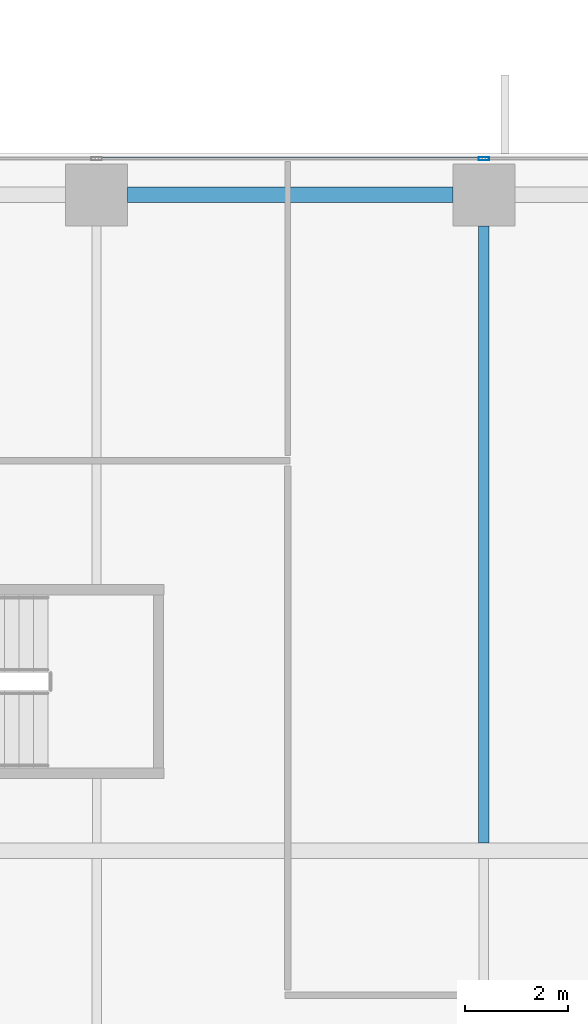
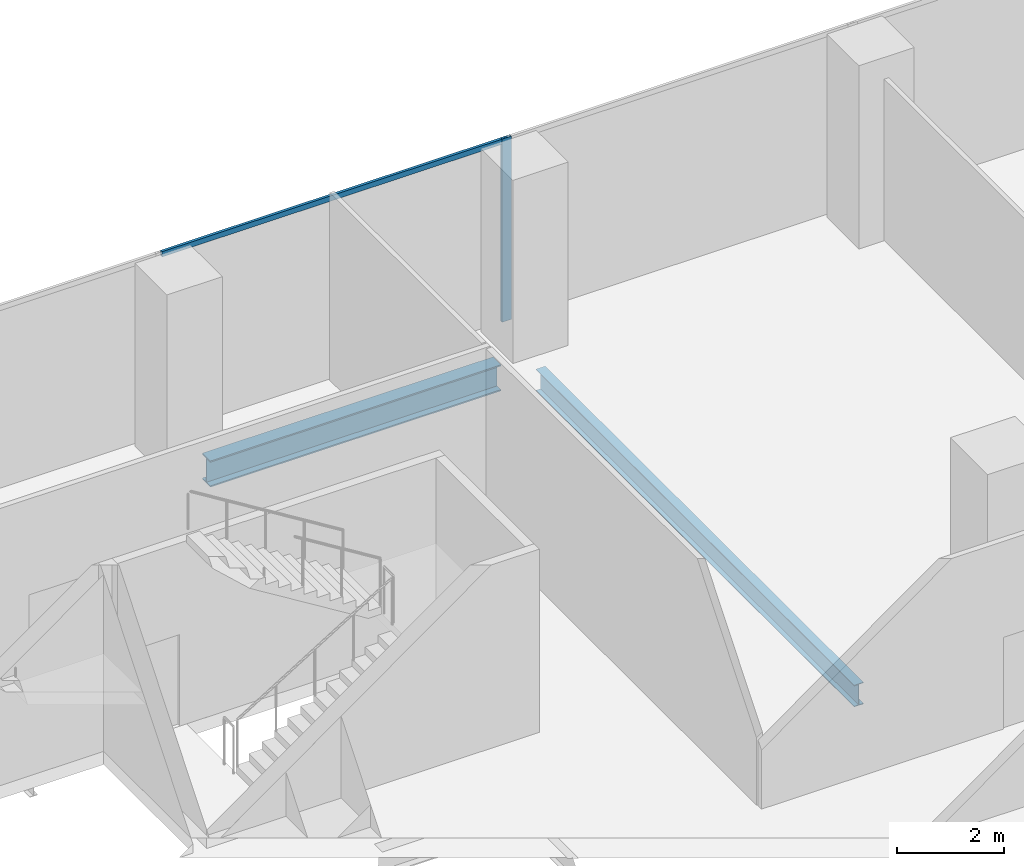
# One storey, part 18 of 33: 2 beams, 2 members, 1 element without a shape of its own.
"""IFC4 building model written with IfcOpenShell, lengths in metres."""

from ifc_helpers import new_model, si_unit, direction, frame, origin, origin_2d, place, context, subcontext, project, spatial, hollow_rectangle, i_section, extrude, source, transform, mapped, material, material_profile, profile_set, type_object, element, aggregate, save


model = new_model("IFC4")

# Units and contexts
model_context = context("Model", 3, precision=1e-05, world=origin(), true_north=direction((0.0, 1.0)))
body_context = subcontext(model_context, "Body", "Model", "MODEL_VIEW")
ifc_project = project(units=[si_unit("LENGTHUNIT", "METRE"), si_unit("AREAUNIT", "SQUARE_METRE"), si_unit("VOLUMEUNIT", "CUBIC_METRE"), si_unit("PLANEANGLEUNIT", "RADIAN"), si_unit("MASSUNIT", "GRAM", prefix="KILO")], contexts=[model_context])

# Site, building, storey
site_placement = place(None, origin())
site = spatial("IfcSite", under=ifc_project, at=site_placement, CompositionType="ELEMENT")
building_placement = place(site_placement, origin())
building = spatial("IfcBuilding", under=site, at=building_placement, Name="Khomas Fold Tower", CompositionType="ELEMENT")
storey_placement = place(building_placement, frame((0.0, 0.0, 78.0)))
storey = spatial("IfcBuildingStorey", under=building, at=storey_placement, Name="L16", CompositionType="ELEMENT", Elevation=78.0)

# Beams
ifc_material_1 = material(Name="Steel S355", Category="steel")
ifc_material_profile_1 = material_profile(ifc_material_1, i_section(OverallWidth=0.300048828125, OverallDepth=0.60009765625, WebThickness=0.015380859375, FlangeThickness=0.030029296875, at=origin_2d()), Name="HE 600 B")
ifc_profile_set_1 = profile_set([ifc_material_profile_1], Name="Steel S355")
beam_type_1 = type_object("IfcBeamType", Name="HE 600 B spandrel SB1", PredefinedType="SPANDREL", material=ifc_profile_set_1)
shared_shape_1 = source(origin(), body_context, "Body", "SweptSolid", [
    extrude(i_section(OverallWidth=0.300048828125, OverallDepth=0.60009765625, WebThickness=0.015380859375, FlangeThickness=0.030029296875, at=origin_2d()), origin(), (0.0, 0.0, 1.0), 6.2998046875),
])
beam_1_placement = place(storey_placement, frame((27.60009765625, 53.199951171875, -0.60009765625), z_axis=(1.0, 0.0, 0.0), x_axis=(0.0, 1.0, 0.0)))
element("IfcBeam", 1, at=beam_1_placement, inside=storey, type_object=beam_type_1, Name="SB1", PredefinedType="SPANDREL", context=body_context, shape_type="MappedRepresentation", body=[
    mapped(shared_shape_1, transform((0.0, 0.0, 0.0))),
])
ifc_material_2 = material(Name="Steel S355", Category="steel")
ifc_material_profile_2 = material_profile(ifc_material_2, i_section(OverallWidth=0.199951171875, OverallDepth=0.5, WebThickness=0.01025390625, FlangeThickness=0.01611328125, at=origin_2d()), Name="IPE 500")
ifc_profile_set_2 = profile_set([ifc_material_profile_2], Name="Steel S355")
beam_type_2 = type_object("IfcBeamType", Name="IPE 500 beam JB5", PredefinedType="BEAM", material=ifc_profile_set_2)
shared_shape_2 = source(origin(), body_context, "Body", "SweptSolid", [
    extrude(i_section(OverallWidth=0.199951171875, OverallDepth=0.5, WebThickness=0.01025390625, FlangeThickness=0.01611328125, at=origin_2d()), origin(), (0.0, 0.0, 1.0), 11.9501953125),
])
beam_2_placement = place(storey_placement, frame((34.5, 40.64990234375, -0.550048828125), z_axis=(0.0, 1.0, 0.0), x_axis=(-1.0, 0.0, 0.0)))
element("IfcBeam", 2, at=beam_2_placement, inside=storey, type_object=beam_type_2, Name="JB5", PredefinedType="BEAM", context=body_context, shape_type="MappedRepresentation", body=[
    mapped(shared_shape_2, transform((0.0, 0.0, 0.0))),
])

# Curtain wall, members
ifc_material_3 = material(Name="Aluminium framed double glazing", Category="aluminium")
curtain_wall_type = type_object("IfcCurtainWallType", Name="SK-Unitised clear-glass wall, growing floors CW1", PredefinedType="NOTDEFINED", material=ifc_material_3)
curtain_wall_placement = place(storey_placement, origin())
curtain_wall = element("IfcCurtainWall", 3, at=curtain_wall_placement, inside=storey, type_object=curtain_wall_type, Name="CW1 run L16 06-0", PredefinedType="NOTDEFINED")
ifc_material_4 = material(Name="Aluminium", Category="aluminium")
ifc_material_profile_3 = material_profile(ifc_material_4, hollow_rectangle(XDim=0.06005859375, YDim=0.1201171875, WallThickness=0.00390625, at=origin_2d()), Name="SK-Unitised clear-glass wall, growing floors transom CW1-T")
ifc_profile_set_3 = profile_set([ifc_material_profile_3], Name="Aluminium")
member_type_1 = type_object("IfcMemberType", Name="SK-Unitised clear-glass wall, growing floors transom CW1-T", PredefinedType="USERDEFINED", material=ifc_profile_set_3)
shared_shape_3 = source(origin(), body_context, "Body", "SweptSolid", [
    extrude(hollow_rectangle(XDim=0.06005859375, YDim=0.1201171875, WallThickness=0.00390625, at=origin_2d()), origin(), (0.0, 0.0, 1.0), 7.43994140625),
])
member_1_placement = place(storey_placement, frame((34.469970703125, 53.89990234375, 4.139892578125), z_axis=(-1.0, 0.0, 0.0), x_axis=(0.0, -1.0, 0.0)))
member_1 = element("IfcMember", 4, at=member_1_placement, type_object=member_type_1, Name="CW1 transom 4", ObjectType="TRANSOM", PredefinedType="USERDEFINED", context=body_context, shape_type="MappedRepresentation", body=[
    mapped(shared_shape_3, transform((0.0, 0.0, 0.0))),
])
ifc_material_5 = material(Name="Aluminium", Category="aluminium")
ifc_material_profile_4 = material_profile(ifc_material_5, hollow_rectangle(XDim=0.06005859375, YDim=0.199951171875, WallThickness=0.00390625, at=origin_2d()), Name="SK-Unitised clear-glass wall, growing floors mullion CW1-M")
ifc_profile_set_4 = profile_set([ifc_material_profile_4], Name="Aluminium")
member_type_2 = type_object("IfcMemberType", Name="SK-Unitised clear-glass wall, growing floors mullion CW1-M", PredefinedType="MULLION", material=ifc_profile_set_4)
shared_shape_4 = source(origin(), body_context, "Body", "SweptSolid", [
    extrude(hollow_rectangle(XDim=0.06005859375, YDim=0.199951171875, WallThickness=0.00390625, at=origin_2d()), origin(), (0.0, 0.0, 1.0), 4.199951171875),
])
member_2_placement = place(storey_placement, frame((34.5, 53.89990234375, 0.0), z_axis=(0.0, 0.0, 1.0), x_axis=(0.0, -1.0, 0.0)))
member_2 = element("IfcMember", 5, at=member_2_placement, type_object=member_type_2, Name="CW1 mullion 4", PredefinedType="MULLION", context=body_context, shape_type="MappedRepresentation", body=[
    mapped(shared_shape_4, transform((0.0, 0.0, 0.0))),
])
aggregate(curtain_wall, [member_2, member_1])

save(model, "model.ifc")
